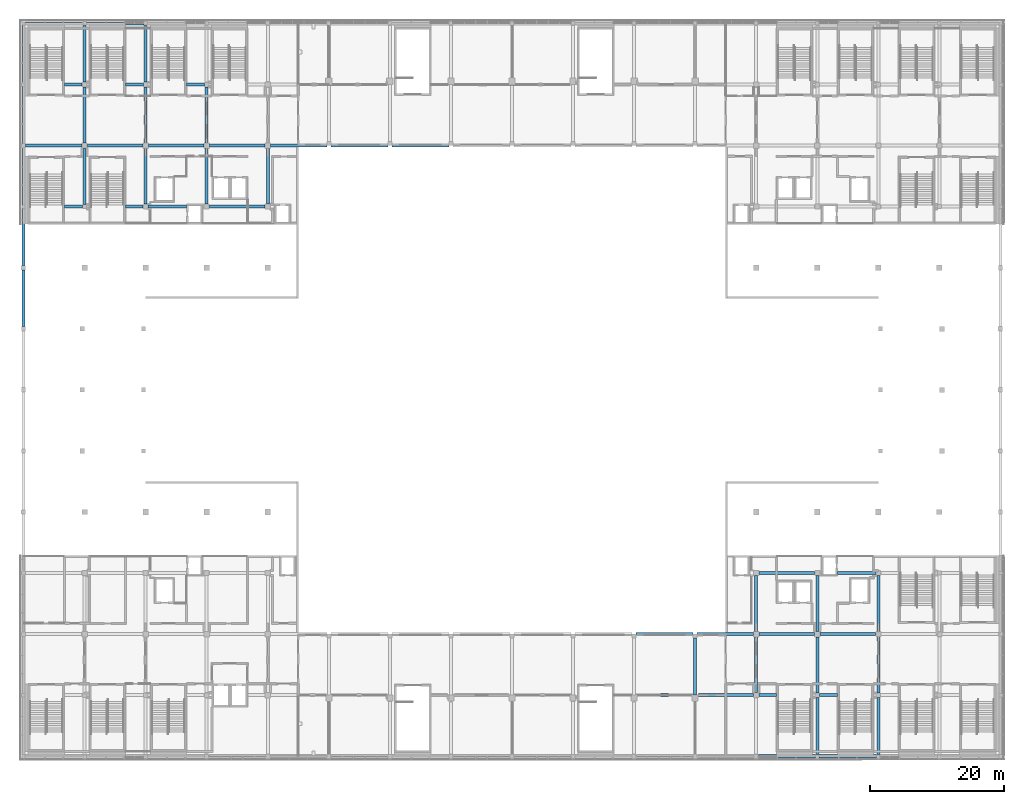
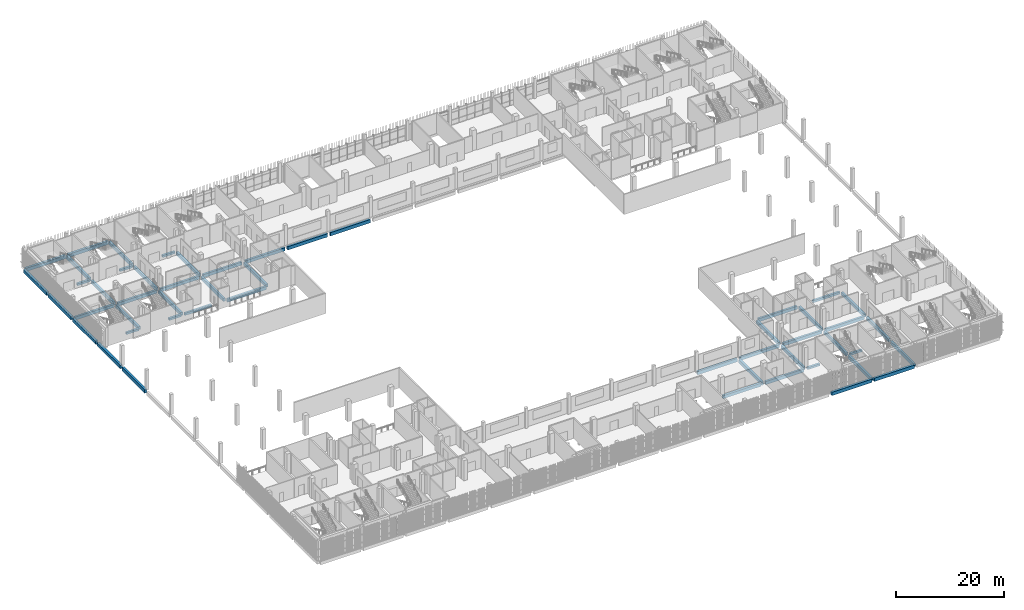
# One storey, part 20 of 104: 51 beams.
"""IFC4 building model written with IfcOpenShell, lengths in metres."""

from ifc_helpers import new_model, si_unit, direction, frame, origin, origin_2d, place, context, subcontext, project, spatial, rectangle, extrude, material, material_profile, profile_set, type_object, element, save


model = new_model("IFC4")

# Units and contexts
model_context = context("Model", 3, precision=1e-05, world=origin(), true_north=direction((0.0, 1.0)))
body_context = subcontext(model_context, "Body", "Model", "MODEL_VIEW")
ifc_project = project(units=[si_unit("LENGTHUNIT", "METRE"), si_unit("AREAUNIT", "SQUARE_METRE"), si_unit("VOLUMEUNIT", "CUBIC_METRE"), si_unit("PLANEANGLEUNIT", "RADIAN"), si_unit("MASSUNIT", "GRAM", prefix="KILO")], contexts=[model_context])

# Site, building, storey
site_placement = place(None, origin())
site = spatial("IfcSite", under=ifc_project, at=site_placement, CompositionType="ELEMENT")
building_placement = place(site_placement, origin())
building = spatial("IfcBuilding", under=site, at=building_placement, Name="Shirokan Park Arena", CompositionType="ELEMENT")
storey_placement = place(building_placement, frame((0.0, 0.0, 10.919921875)))
storey = spatial("IfcBuildingStorey", under=building, at=storey_placement, Name="L02", CompositionType="ELEMENT", Elevation=10.919921875)

# Beams
ifc_material = material(Name="Concrete C35", Category="concrete")
ifc_material_profile_1 = material_profile(ifc_material, rectangle(XDim=0.449951171875, YDim=0.5, at=origin_2d()), Name="450x500")
ifc_profile_set_1 = profile_set([ifc_material_profile_1], Name="Concrete C35")
beam_type_1 = type_object("IfcBeamType", Name="RC girder 450x500", PredefinedType="BEAM", material=ifc_profile_set_1)
for number, where, z_axis, x_axis, name in (
    (1, (18.5751953125, 81.89990234375, -0.5498046875), (1.0, 0.0, 0.0), (0.0, 1.0, 0.0), "Girder 3K-4K L02"),
    (2, (121.300048828125, 27.300048828125, -0.5498046875), (1.0, 0.0, 0.0), (0.0, 1.0, 0.0), "Girder 14D-15D L02"),
):
    element("IfcBeam", number, at=place(storey_placement, frame(where, z_axis=z_axis, x_axis=x_axis)), inside=storey, type_object=beam_type_1, Name=name, PredefinedType="BEAM", context=body_context, shape_type="SweptSolid", body=[
        extrude(rectangle(XDim=0.449951171875, YDim=0.5, at=origin_2d()), origin(), (0.0, 0.0, 1.0), 5.724853515625),
    ])
ifc_material_profile_2 = material_profile(ifc_material, rectangle(XDim=0.449951171875, YDim=0.699951171875, at=origin_2d()), Name="450x700")
ifc_profile_set_2 = profile_set([ifc_material_profile_2], Name="Concrete C35")
beam_type_2 = type_object("IfcBeamType", Name="RC girder 450x700", PredefinedType="BEAM", material=ifc_profile_set_2)
beam_1_placement = place(storey_placement, frame((0.3251953125, 91.0, -0.64990234375), z_axis=(1.0, 0.0, 0.0), x_axis=(0.0, 1.0, 0.0)))
element("IfcBeam", 3, at=beam_1_placement, inside=storey, type_object=beam_type_2, Name="Girder 1L-2L L02", PredefinedType="BEAM", context=body_context, shape_type="SweptSolid", body=[
    extrude(rectangle(XDim=0.449951171875, YDim=0.699951171875, at=origin_2d()), origin(), (0.0, 0.0, 1.0), 8.374755859375),
])
beam_2_placement = place(storey_placement, frame((9.5, 91.0, -0.64990234375), z_axis=(1.0, 0.0, 0.0), x_axis=(0.0, 1.0, 0.0)))
element("IfcBeam", 4, at=beam_2_placement, inside=storey, type_object=beam_type_2, Name="Girder 2L-3L L02", PredefinedType="BEAM", context=body_context, shape_type="SweptSolid", body=[
    extrude(rectangle(XDim=0.449951171875, YDim=0.699951171875, at=origin_2d()), origin(), (0.0, 0.0, 1.0), 8.27490234375),
])
beam_3_placement = place(storey_placement, frame((18.625, 91.0, -0.64990234375), z_axis=(1.0, 0.0, 0.0), x_axis=(0.0, 1.0, 0.0)))
element("IfcBeam", 5, at=beam_3_placement, inside=storey, type_object=beam_type_2, Name="Girder 3L-4L L02", PredefinedType="BEAM", context=body_context, shape_type="SweptSolid", body=[
    extrude(rectangle(XDim=0.449951171875, YDim=0.699951171875, at=origin_2d()), origin(), (0.0, 0.0, 1.0), 8.25),
])
beam_4_placement = place(storey_placement, frame((27.7001953125, 81.89990234375, -0.64990234375), z_axis=(1.0, 0.0, 0.0), x_axis=(0.0, 1.0, 0.0)))
element("IfcBeam", 6, at=beam_4_placement, inside=storey, type_object=beam_type_2, Name="Girder 4K-5K L02", PredefinedType="BEAM", context=body_context, shape_type="SweptSolid", body=[
    extrude(rectangle(XDim=0.449951171875, YDim=0.699951171875, at=origin_2d()), origin(), (0.0, 0.0, 1.0), 8.2998046875),
])
beam_5_placement = place(storey_placement, frame((27.72509765625, 91.0, -0.64990234375), z_axis=(1.0, 0.0, 0.0), x_axis=(0.0, 1.0, 0.0)))
element("IfcBeam", 7, at=beam_5_placement, inside=storey, type_object=beam_type_2, Name="Girder 4L-5L L02", PredefinedType="BEAM", context=body_context, shape_type="SweptSolid", body=[
    extrude(rectangle(XDim=0.449951171875, YDim=0.699951171875, at=origin_2d()), origin(), (0.0, 0.0, 1.0), 8.249755859375),
])
beam_6_placement = place(storey_placement, frame((36.8251953125, 91.0, -0.64990234375), z_axis=(1.0, 0.0, 0.0), x_axis=(0.0, 1.0, 0.0)))
element("IfcBeam", 8, at=beam_6_placement, inside=storey, type_object=beam_type_2, Name="Girder 5L-6L L02", PredefinedType="BEAM", context=body_context, shape_type="SweptSolid", body=[
    extrude(rectangle(XDim=0.449951171875, YDim=0.699951171875, at=origin_2d()), origin(), (0.0, 0.0, 1.0), 8.374755859375),
])
beam_7_placement = place(storey_placement, frame((91.5, 9.10009765625, -0.64990234375), z_axis=(1.0, 0.0, 0.0), x_axis=(0.0, 1.0, 0.0)))
element("IfcBeam", 9, at=beam_7_placement, inside=storey, type_object=beam_type_2, Name="Girder 11B-12B L02", PredefinedType="BEAM", context=body_context, shape_type="SweptSolid", body=[
    extrude(rectangle(XDim=0.449951171875, YDim=0.699951171875, at=origin_2d()), origin(), (0.0, 0.0, 1.0), 8.099853515625),
])
beam_8_placement = place(storey_placement, frame((100.60009765625, 9.10009765625, -0.64990234375), z_axis=(1.0, 0.0, 0.0), x_axis=(0.0, 1.0, 0.0)))
element("IfcBeam", 10, at=beam_8_placement, inside=storey, type_object=beam_type_2, Name="Girder 12B-13B L02", PredefinedType="BEAM", context=body_context, shape_type="SweptSolid", body=[
    extrude(rectangle(XDim=0.449951171875, YDim=0.699951171875, at=origin_2d()), origin(), (0.0, 0.0, 1.0), 8.19970703125),
])
beam_9_placement = place(storey_placement, frame((100.400146484375, 18.199951171875, -0.64990234375), z_axis=(1.0, 0.0, 0.0), x_axis=(0.0, 1.0, 0.0)))
element("IfcBeam", 11, at=beam_9_placement, inside=storey, type_object=beam_type_2, Name="Girder 12C-13C L02", PredefinedType="BEAM", context=body_context, shape_type="SweptSolid", body=[
    extrude(rectangle(XDim=0.449951171875, YDim=0.699951171875, at=origin_2d()), origin(), (0.0, 0.0, 1.0), 8.374755859375),
])
beam_10_placement = place(storey_placement, frame((109.625, 18.199951171875, -0.64990234375), z_axis=(1.0, 0.0, 0.0), x_axis=(0.0, 1.0, 0.0)))
element("IfcBeam", 12, at=beam_10_placement, inside=storey, type_object=beam_type_2, Name="Girder 13C-14C L02", PredefinedType="BEAM", context=body_context, shape_type="SweptSolid", body=[
    extrude(rectangle(XDim=0.449951171875, YDim=0.699951171875, at=origin_2d()), origin(), (0.0, 0.0, 1.0), 8.25),
])
beam_11_placement = place(storey_placement, frame((109.60009765625, 27.300048828125, -0.64990234375), z_axis=(1.0, 0.0, 0.0), x_axis=(0.0, 1.0, 0.0)))
element("IfcBeam", 13, at=beam_11_placement, inside=storey, type_object=beam_type_2, Name="Girder 13D-14D L02", PredefinedType="BEAM", context=body_context, shape_type="SweptSolid", body=[
    extrude(rectangle(XDim=0.449951171875, YDim=0.699951171875, at=origin_2d()), origin(), (0.0, 0.0, 1.0), 8.2998046875),
])
beam_12_placement = place(storey_placement, frame((118.72509765625, 18.199951171875, -0.64990234375), z_axis=(1.0, 0.0, 0.0), x_axis=(0.0, 1.0, 0.0)))
element("IfcBeam", 14, at=beam_12_placement, inside=storey, type_object=beam_type_2, Name="Girder 14C-15C L02", PredefinedType="BEAM", context=body_context, shape_type="SweptSolid", body=[
    extrude(rectangle(XDim=0.449951171875, YDim=0.699951171875, at=origin_2d()), origin(), (0.0, 0.0, 1.0), 8.249755859375),
])
beam_13_placement = place(storey_placement, frame((9.10009765625, 82.22509765625, -0.64990234375), z_axis=(0.0, 1.0, 0.0), x_axis=(-1.0, 0.0, 0.0)))
element("IfcBeam", 15, at=beam_13_placement, inside=storey, type_object=beam_type_2, Name="Girder 2K-2L L02", PredefinedType="BEAM", context=body_context, shape_type="SweptSolid", body=[
    extrude(rectangle(XDim=0.449951171875, YDim=0.699951171875, at=origin_2d()), origin(), (0.0, 0.0, 1.0), 8.374755859375),
])
beam_14_placement = place(storey_placement, frame((9.10009765625, 91.400146484375, -0.64990234375), z_axis=(0.0, 1.0, 0.0), x_axis=(-1.0, 0.0, 0.0)))
element("IfcBeam", 16, at=beam_14_placement, inside=storey, type_object=beam_type_2, Name="Girder 2L-2M L02", PredefinedType="BEAM", context=body_context, shape_type="SweptSolid", body=[
    extrude(rectangle(XDim=0.449951171875, YDim=0.699951171875, at=origin_2d()), origin(), (0.0, 0.0, 1.0), 8.349853515625),
])
beam_15_placement = place(storey_placement, frame((18.199951171875, 82.275146484375, -0.64990234375), z_axis=(0.0, 1.0, 0.0), x_axis=(-1.0, 0.0, 0.0)))
element("IfcBeam", 17, at=beam_15_placement, inside=storey, type_object=beam_type_2, Name="Girder 3K-3L L02", PredefinedType="BEAM", context=body_context, shape_type="SweptSolid", body=[
    extrude(rectangle(XDim=0.449951171875, YDim=0.699951171875, at=origin_2d()), origin(), (0.0, 0.0, 1.0), 8.2998046875),
])
beam_16_placement = place(storey_placement, frame((18.199951171875, 91.425048828125, -0.64990234375), z_axis=(0.0, 1.0, 0.0), x_axis=(-1.0, 0.0, 0.0)))
element("IfcBeam", 18, at=beam_16_placement, inside=storey, type_object=beam_type_2, Name="Girder 3L-3M L02", PredefinedType="BEAM", context=body_context, shape_type="SweptSolid", body=[
    extrude(rectangle(XDim=0.449951171875, YDim=0.699951171875, at=origin_2d()), origin(), (0.0, 0.0, 1.0), 8.324951171875),
])
beam_17_placement = place(storey_placement, frame((27.300048828125, 82.300048828125, -0.64990234375), z_axis=(0.0, 1.0, 0.0), x_axis=(-1.0, 0.0, 0.0)))
element("IfcBeam", 19, at=beam_17_placement, inside=storey, type_object=beam_type_2, Name="Girder 4K-4L L02", PredefinedType="BEAM", context=body_context, shape_type="SweptSolid", body=[
    extrude(rectangle(XDim=0.449951171875, YDim=0.699951171875, at=origin_2d()), origin(), (0.0, 0.0, 1.0), 8.27490234375),
])
beam_18_placement = place(storey_placement, frame((27.300048828125, 91.425048828125, -0.64990234375), z_axis=(0.0, 1.0, 0.0), x_axis=(-1.0, 0.0, 0.0)))
element("IfcBeam", 20, at=beam_18_placement, inside=storey, type_object=beam_type_2, Name="Girder 4L-4M L02", PredefinedType="BEAM", context=body_context, shape_type="SweptSolid", body=[
    extrude(rectangle(XDim=0.449951171875, YDim=0.699951171875, at=origin_2d()), origin(), (0.0, 0.0, 1.0), 8.324951171875),
])
for number, where, z_axis, x_axis, name in (
    (21, (36.39990234375, 82.300048828125, -0.64990234375), (0.0, 1.0, 0.0), (-1.0, 0.0, 0.0), "Girder 5K-5L L02"),
    (22, (109.199951171875, 9.5, -0.64990234375), (0.0, 1.0, 0.0), (-1.0, 0.0, 0.0), "Girder 13B-13C L02"),
    (23, (109.199951171875, 18.625, -0.64990234375), (0.0, 1.0, 0.0), (-1.0, 0.0, 0.0), "Girder 13C-13D L02"),
):
    element("IfcBeam", number, at=place(storey_placement, frame(where, z_axis=z_axis, x_axis=x_axis)), inside=storey, type_object=beam_type_2, Name=name, PredefinedType="BEAM", context=body_context, shape_type="SweptSolid", body=[
        extrude(rectangle(XDim=0.449951171875, YDim=0.699951171875, at=origin_2d()), origin(), (0.0, 0.0, 1.0), 8.27490234375),
    ])
beam_19_placement = place(storey_placement, frame((118.300048828125, 9.4501953125, -0.64990234375), z_axis=(0.0, 1.0, 0.0), x_axis=(-1.0, 0.0, 0.0)))
element("IfcBeam", 24, at=beam_19_placement, inside=storey, type_object=beam_type_2, Name="Girder 14B-14C L02", PredefinedType="BEAM", context=body_context, shape_type="SweptSolid", body=[
    extrude(rectangle(XDim=0.449951171875, YDim=0.699951171875, at=origin_2d()), origin(), (0.0, 0.0, 1.0), 8.32470703125),
])
beam_20_placement = place(storey_placement, frame((118.300048828125, 18.625, -0.64990234375), z_axis=(0.0, 1.0, 0.0), x_axis=(-1.0, 0.0, 0.0)))
element("IfcBeam", 25, at=beam_20_placement, inside=storey, type_object=beam_type_2, Name="Girder 14C-14D L02", PredefinedType="BEAM", context=body_context, shape_type="SweptSolid", body=[
    extrude(rectangle(XDim=0.449951171875, YDim=0.699951171875, at=origin_2d()), origin(), (0.0, 0.0, 1.0), 8.27490234375),
])
beam_21_placement = place(storey_placement, frame((127.39990234375, 9.4501953125, -0.64990234375), z_axis=(0.0, 1.0, 0.0), x_axis=(-1.0, 0.0, 0.0)))
element("IfcBeam", 26, at=beam_21_placement, inside=storey, type_object=beam_type_2, Name="Girder 15B-15C L02", PredefinedType="BEAM", context=body_context, shape_type="SweptSolid", body=[
    extrude(rectangle(XDim=0.449951171875, YDim=0.699951171875, at=origin_2d()), origin(), (0.0, 0.0, 1.0), 8.32470703125),
])
beam_22_placement = place(storey_placement, frame((127.39990234375, 18.625, -0.64990234375), z_axis=(0.0, 1.0, 0.0), x_axis=(-1.0, 0.0, 0.0)))
element("IfcBeam", 27, at=beam_22_placement, inside=storey, type_object=beam_type_2, Name="Girder 15C-15D L02", PredefinedType="BEAM", context=body_context, shape_type="SweptSolid", body=[
    extrude(rectangle(XDim=0.449951171875, YDim=0.699951171875, at=origin_2d()), origin(), (0.0, 0.0, 1.0), 8.2998046875),
])
ifc_material_profile_3 = material_profile(ifc_material, rectangle(XDim=0.449951171875, YDim=0.75, at=origin_2d()), Name="450x750")
ifc_profile_set_3 = profile_set([ifc_material_profile_3], Name="Concrete C35")
beam_type_3 = type_object("IfcBeamType", Name="RC girder 450x750", PredefinedType="BEAM", material=ifc_profile_set_3)
for number, where, z_axis, x_axis, name in (
    (28, (45.800048828125, 91.0, -0.6748046875), (1.0, 0.0, 0.0), (0.0, 1.0, 0.0), "Girder 6L-7L L02"),
    (29, (54.900146484375, 91.0, -0.6748046875), (1.0, 0.0, 0.0), (0.0, 1.0, 0.0), "Girder 7L-8L L02"),
    (30, (91.300048828125, 18.199951171875, -0.6748046875), (1.0, 0.0, 0.0), (0.0, 1.0, 0.0), "Girder 11C-12C L02"),
):
    element("IfcBeam", number, at=place(storey_placement, frame(where, z_axis=z_axis, x_axis=x_axis)), inside=storey, type_object=beam_type_3, Name=name, PredefinedType="BEAM", context=body_context, shape_type="SweptSolid", body=[
        extrude(rectangle(XDim=0.449951171875, YDim=0.75, at=origin_2d()), origin(), (0.0, 0.0, 1.0), 8.499755859375),
    ])
for number, where, z_axis, x_axis, name in (
    (31, (9.10009765625, 100.4501953125, -0.6748046875), (0.0, 1.0, 0.0), (-1.0, 0.0, 0.0), "Girder 2M-2N L02"),
    (32, (18.199951171875, 100.4501953125, -0.6748046875), (0.0, 1.0, 0.0), (-1.0, 0.0, 0.0), "Girder 3M-3N L02"),
):
    element("IfcBeam", number, at=place(storey_placement, frame(where, z_axis=z_axis, x_axis=x_axis)), inside=storey, type_object=beam_type_3, Name=name, PredefinedType="BEAM", context=body_context, shape_type="SweptSolid", body=[
        extrude(rectangle(XDim=0.449951171875, YDim=0.75, at=origin_2d()), origin(), (0.0, 0.0, 1.0), 8.474609375),
    ])
beam_23_placement = place(storey_placement, frame((100.10009765625, 9.10009765625, -0.6748046875), z_axis=(0.0, 1.0, 0.0), x_axis=(-1.0, 0.0, 0.0)))
element("IfcBeam", 33, at=beam_23_placement, inside=storey, type_object=beam_type_3, Name="Girder 12B-12C L02", PredefinedType="BEAM", context=body_context, shape_type="SweptSolid", body=[
    extrude(rectangle(XDim=0.449951171875, YDim=0.75, at=origin_2d()), origin(), (0.0, 0.0, 1.0), 8.499755859375),
])
for number, where, z_axis, x_axis, name in (
    (34, (118.300048828125, 0.25, -0.6748046875), (0.0, 1.0, 0.0), (-1.0, 0.0, 0.0), "Girder 14A-14B L02"),
    (35, (127.39990234375, 0.25, -0.6748046875), (0.0, 1.0, 0.0), (-1.0, 0.0, 0.0), "Girder 15A-15B L02"),
):
    element("IfcBeam", number, at=place(storey_placement, frame(where, z_axis=z_axis, x_axis=x_axis)), inside=storey, type_object=beam_type_3, Name=name, PredefinedType="BEAM", context=body_context, shape_type="SweptSolid", body=[
        extrude(rectangle(XDim=0.449951171875, YDim=0.75, at=origin_2d()), origin(), (0.0, 0.0, 1.0), 8.5),
    ])
ifc_material_profile_4 = material_profile(ifc_material, rectangle(XDim=0.5, YDim=0.75, at=origin_2d()), Name="500x750")
ifc_profile_set_4 = profile_set([ifc_material_profile_4], Name="Concrete C35")
beam_type_4 = type_object("IfcBeamType", Name="RC girder 500x750", PredefinedType="BEAM", material=ifc_profile_set_4)
beam_24_placement = place(storey_placement, frame((0.25, 109.199951171875, -0.6748046875), z_axis=(1.0, 0.0, 0.0), x_axis=(0.0, 1.0, 0.0)))
element("IfcBeam", 36, at=beam_24_placement, inside=storey, type_object=beam_type_4, Name="Girder 1N-2N L02", PredefinedType="BEAM", context=body_context, shape_type="SweptSolid", body=[
    extrude(rectangle(XDim=0.5, YDim=0.75, at=origin_2d()), origin(), (0.0, 0.0, 1.0), 8.574951171875),
])
beam_25_placement = place(storey_placement, frame((9.375, 109.199951171875, -0.6748046875), z_axis=(1.0, 0.0, 0.0), x_axis=(0.0, 1.0, 0.0)))
element("IfcBeam", 37, at=beam_25_placement, inside=storey, type_object=beam_type_4, Name="Girder 2N-3N L02", PredefinedType="BEAM", context=body_context, shape_type="SweptSolid", body=[
    extrude(rectangle(XDim=0.5, YDim=0.75, at=origin_2d()), origin(), (0.0, 0.0, 1.0), 8.5498046875),
])
beam_26_placement = place(storey_placement, frame((109.525146484375, 0.0, -0.6748046875), z_axis=(1.0, 0.0, 0.0), x_axis=(0.0, 1.0, 0.0)))
element("IfcBeam", 38, at=beam_26_placement, inside=storey, type_object=beam_type_4, Name="Girder 13A-14A L02", PredefinedType="BEAM", context=body_context, shape_type="SweptSolid", body=[
    extrude(rectangle(XDim=0.5, YDim=0.75, at=origin_2d()), origin(), (0.0, 0.0, 1.0), 8.499755859375),
])
beam_27_placement = place(storey_placement, frame((118.5751953125, 0.0, -0.6748046875), z_axis=(1.0, 0.0, 0.0), x_axis=(0.0, 1.0, 0.0)))
element("IfcBeam", 39, at=beam_27_placement, inside=storey, type_object=beam_type_4, Name="Girder 14A-15A L02", PredefinedType="BEAM", context=body_context, shape_type="SweptSolid", body=[
    extrude(rectangle(XDim=0.5, YDim=0.75, at=origin_2d()), origin(), (0.0, 0.0, 1.0), 8.5498046875),
])
beam_28_placement = place(storey_placement, frame((0.0, 64.025146484375, -0.6748046875), z_axis=(0.0, 1.0, 0.0), x_axis=(-1.0, 0.0, 0.0)))
element("IfcBeam", 40, at=beam_28_placement, inside=storey, type_object=beam_type_4, Name="Girder 1H-1J L02", PredefinedType="BEAM", context=body_context, shape_type="SweptSolid", body=[
    extrude(rectangle(XDim=0.5, YDim=0.75, at=origin_2d()), origin(), (0.0, 0.0, 1.0), 8.44970703125),
])
beam_29_placement = place(storey_placement, frame((0.0, 73.125, -0.6748046875), z_axis=(0.0, 1.0, 0.0), x_axis=(-1.0, 0.0, 0.0)))
element("IfcBeam", 41, at=beam_29_placement, inside=storey, type_object=beam_type_4, Name="Girder 1J-1K L02", PredefinedType="BEAM", context=body_context, shape_type="SweptSolid", body=[
    extrude(rectangle(XDim=0.5, YDim=0.75, at=origin_2d()), origin(), (0.0, 0.0, 1.0), 8.52490234375),
])
beam_30_placement = place(storey_placement, frame((0.0, 82.150146484375, -0.6748046875), z_axis=(0.0, 1.0, 0.0), x_axis=(-1.0, 0.0, 0.0)))
element("IfcBeam", 42, at=beam_30_placement, inside=storey, type_object=beam_type_4, Name="Girder 1K-1L L02", PredefinedType="BEAM", context=body_context, shape_type="SweptSolid", body=[
    extrude(rectangle(XDim=0.5, YDim=0.75, at=origin_2d()), origin(), (0.0, 0.0, 1.0), 8.524658203125),
])
beam_31_placement = place(storey_placement, frame((0.0, 91.3251953125, -0.6748046875), z_axis=(0.0, 1.0, 0.0), x_axis=(-1.0, 0.0, 0.0)))
element("IfcBeam", 43, at=beam_31_placement, inside=storey, type_object=beam_type_4, Name="Girder 1L-1M L02", PredefinedType="BEAM", context=body_context, shape_type="SweptSolid", body=[
    extrude(rectangle(XDim=0.5, YDim=0.75, at=origin_2d()), origin(), (0.0, 0.0, 1.0), 8.499755859375),
])
beam_32_placement = place(storey_placement, frame((0.0, 100.375, -0.6748046875), z_axis=(0.0, 1.0, 0.0), x_axis=(-1.0, 0.0, 0.0)))
element("IfcBeam", 44, at=beam_32_placement, inside=storey, type_object=beam_type_4, Name="Girder 1M-1N L02", PredefinedType="BEAM", context=body_context, shape_type="SweptSolid", body=[
    extrude(rectangle(XDim=0.5, YDim=0.75, at=origin_2d()), origin(), (0.0, 0.0, 1.0), 8.574951171875),
])
ifc_material_profile_5 = material_profile(ifc_material, rectangle(XDim=0.449951171875, YDim=0.449951171875, at=origin_2d()), Name="450x450")
ifc_profile_set_5 = profile_set([ifc_material_profile_5], Name="Concrete C35")
beam_type_5 = type_object("IfcBeamType", Name="RC trimmer 450x450", PredefinedType="BEAM", material=ifc_profile_set_5)
beam_33_placement = place(storey_placement, frame((6.10009765625, 81.89990234375, -0.52490234375), z_axis=(1.0, 0.0, 0.0), x_axis=(0.0, 1.0, 0.0)))
element("IfcBeam", 45, at=beam_33_placement, inside=storey, type_object=beam_type_5, Name="Girder 1K-2K L02", PredefinedType="BEAM", context=body_context, shape_type="SweptSolid", body=[
    extrude(rectangle(XDim=0.449951171875, YDim=0.449951171875, at=origin_2d()), origin(), (0.0, 0.0, 1.0), 2.6748046875),
])
beam_34_placement = place(storey_placement, frame((6.10009765625, 100.10009765625, -0.52490234375), z_axis=(1.0, 0.0, 0.0), x_axis=(0.0, 1.0, 0.0)))
element("IfcBeam", 46, at=beam_34_placement, inside=storey, type_object=beam_type_5, Name="Girder 1M-2M L02", PredefinedType="BEAM", context=body_context, shape_type="SweptSolid", body=[
    extrude(rectangle(XDim=0.449951171875, YDim=0.449951171875, at=origin_2d()), origin(), (0.0, 0.0, 1.0), 2.64990234375),
])
beam_35_placement = place(storey_placement, frame((15.199951171875, 81.89990234375, -0.52490234375), z_axis=(1.0, 0.0, 0.0), x_axis=(0.0, 1.0, 0.0)))
element("IfcBeam", 47, at=beam_35_placement, inside=storey, type_object=beam_type_5, Name="Girder 2K-3K L02", PredefinedType="BEAM", context=body_context, shape_type="SweptSolid", body=[
    extrude(rectangle(XDim=0.449951171875, YDim=0.449951171875, at=origin_2d()), origin(), (0.0, 0.0, 1.0), 2.625),
])
for number, where, z_axis, x_axis, name in (
    (48, (15.199951171875, 100.10009765625, -0.52490234375), (1.0, 0.0, 0.0), (0.0, 1.0, 0.0), "Girder 2M-3M L02"),
    (49, (24.300048828125, 100.10009765625, -0.52490234375), (1.0, 0.0, 0.0), (0.0, 1.0, 0.0), "Girder 3M-4M L02"),
):
    element("IfcBeam", number, at=place(storey_placement, frame(where, z_axis=z_axis, x_axis=x_axis)), inside=storey, type_object=beam_type_5, Name=name, PredefinedType="BEAM", context=body_context, shape_type="SweptSolid", body=[
        extrude(rectangle(XDim=0.449951171875, YDim=0.449951171875, at=origin_2d()), origin(), (0.0, 0.0, 1.0), 2.64990234375),
    ])
beam_36_placement = place(storey_placement, frame((109.60009765625, 9.10009765625, -0.52490234375), z_axis=(1.0, 0.0, 0.0), x_axis=(0.0, 1.0, 0.0)))
element("IfcBeam", 50, at=beam_36_placement, inside=storey, type_object=beam_type_5, Name="Girder 13B-14B L02", PredefinedType="BEAM", context=body_context, shape_type="SweptSolid", body=[
    extrude(rectangle(XDim=0.449951171875, YDim=0.449951171875, at=origin_2d()), origin(), (0.0, 0.0, 1.0), 2.599853515625),
])
beam_37_placement = place(storey_placement, frame((118.650146484375, 9.10009765625, -0.52490234375), z_axis=(1.0, 0.0, 0.0), x_axis=(0.0, 1.0, 0.0)))
element("IfcBeam", 51, at=beam_37_placement, inside=storey, type_object=beam_type_5, Name="Girder 14B-15B L02", PredefinedType="BEAM", context=body_context, shape_type="SweptSolid", body=[
    extrude(rectangle(XDim=0.449951171875, YDim=0.449951171875, at=origin_2d()), origin(), (0.0, 0.0, 1.0), 2.64990234375),
])

save(model, "model.ifc")
